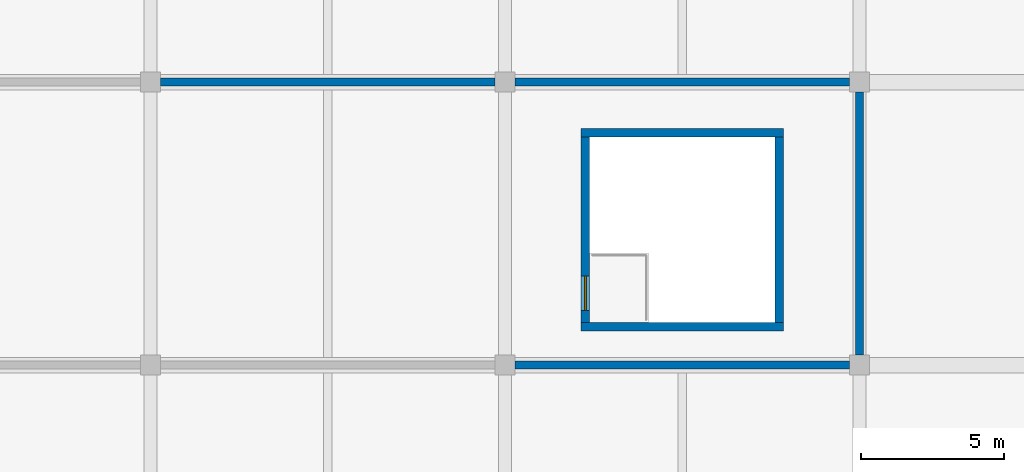
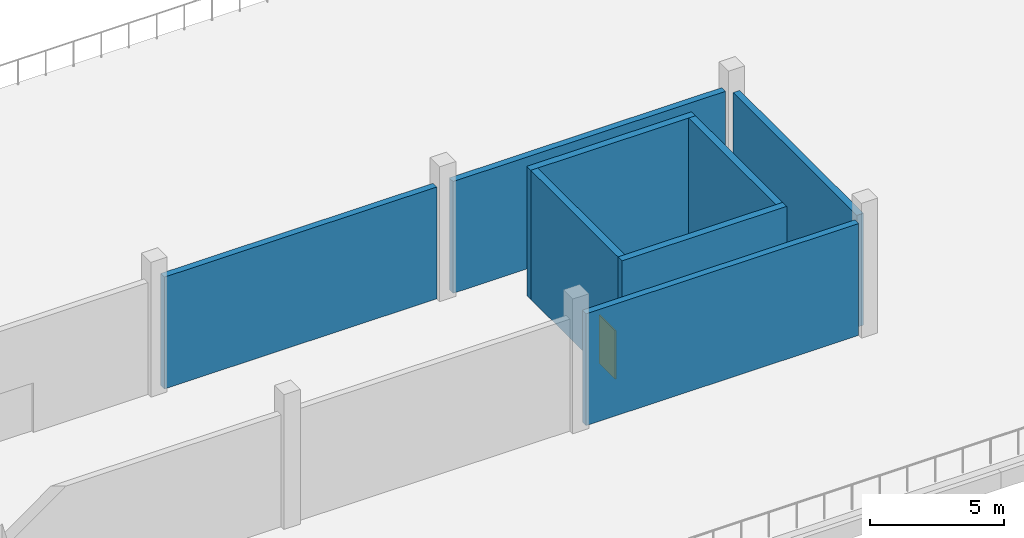
# One storey, part 30 of 46: 8 walls, 1 door, 1 opening.
"""IFC4 building model written with IfcOpenShell, lengths in metres."""

import ifcopenshell
import ifcopenshell.guid

model = None  # the IFC model being written
_history = None  # IfcOwnerHistory: only IFC2X3 demands one
_inside = {}  # id of a spatial element -> (the spatial element, [elements in it])
_under = {}  # id of a project, library or spatial element -> (it, [spatial elements below it])
_declared = {}  # id of a project -> (the project, [libraries it declares])
_typed = {}  # id of a type object -> (the type object, [elements of that type])
_made_of = {}  # id of a material, layer set ... -> (it, [elements and type objects made of it])


def new_model(schema):
    """Start an empty IFC model of exactly this schema.

    Asked for "IFC4X3", IfcOpenShell would pick the latest addendum, in which some entities
    have other attributes; the version numbers below select the first issue.
    IFC2X3 requires an IfcOwnerHistory on every rooted entity: one is made here for all.
    """
    global model, _history
    if schema == "IFC4X3":
        model = ifcopenshell.file(schema_version=(4, 3, 0, 0))
    else:
        model = ifcopenshell.file(schema=schema)
    _inside.clear()
    _under.clear()
    _declared.clear()
    _typed.clear()
    _made_of.clear()
    _history = None
    if model.schema == "IFC2X3":
        org = make("IfcOrganization", Name="unknown")
        user = make(
            "IfcPersonAndOrganization",
            ThePerson=make("IfcPerson", FamilyName="unknown"),
            TheOrganization=org,
        )
        app = make(
            "IfcApplication",
            ApplicationDeveloper=org,
            Version="unknown",
            ApplicationFullName="unknown",
            ApplicationIdentifier="unknown",
        )
        _history = make(
            "IfcOwnerHistory",
            OwningUser=user,
            OwningApplication=app,
            ChangeAction="ADDED",
            CreationDate=0,
        )
    return model


def make(cls, **values):
    """One entity of the class cls with the attributes given. An attribute that is None is left unset."""
    return model.create_entity(
        cls, **{name: value for name, value in values.items() if value is not None}
    )


def rooted(cls, **values):
    """An entity with a GlobalId (a new one), such as an element, a storey or a relation."""
    return make(cls, GlobalId=ifcopenshell.guid.new(), OwnerHistory=_history, **values)


def si_unit(unit_type, name, prefix=None):
    """IfcSIUnit, for example si_unit("LENGTHUNIT", "METRE", prefix="MILLI")."""
    return make("IfcSIUnit", UnitType=unit_type, Prefix=prefix, Name=name)


def assignment(units):
    """IfcUnitAssignment: the units of a project."""
    return None if units is None else make("IfcUnitAssignment", Units=units)


def point(xyz):
    """IfcCartesianPoint."""
    return None if xyz is None else make("IfcCartesianPoint", Coordinates=xyz)


def direction(xyz):
    """IfcDirection."""
    return None if xyz is None else make("IfcDirection", DirectionRatios=xyz)


def frame(location, z_axis=None, x_axis=None):
    """IfcAxis2Placement3D, a coordinate frame: its origin and axes. An axis left out is left unset."""
    return make(
        "IfcAxis2Placement3D",
        Location=point(location),
        Axis=direction(z_axis),
        RefDirection=direction(x_axis),
    )


def frame_2d(location, x_axis=None):
    """IfcAxis2Placement2D, a coordinate frame in the plane: its origin and x axis."""
    return make(
        "IfcAxis2Placement2D", Location=point(location), RefDirection=direction(x_axis)
    )


def origin():
    """The frame at (0, 0, 0) with its axes left unset."""
    return frame((0.0, 0.0, 0.0))


def place(relative_to, where):
    """IfcLocalPlacement: puts the frame where relative to a parent placement (None: the world)."""
    return make(
        "IfcLocalPlacement", PlacementRelTo=relative_to, RelativePlacement=where
    )


def context(
    kind, dimensions, precision=None, world=None, true_north=None, identifier=None
):
    """IfcGeometricRepresentationContext, for example the 3D "Model" context."""
    return make(
        "IfcGeometricRepresentationContext",
        ContextIdentifier=identifier,
        ContextType=kind,
        CoordinateSpaceDimension=dimensions,
        Precision=precision,
        WorldCoordinateSystem=world,
        TrueNorth=true_north,
    )


def subcontext(parent, identifier, kind, view, scale=None):
    """IfcGeometricRepresentationSubContext, for example "Body" below "Model"."""
    return make(
        "IfcGeometricRepresentationSubContext",
        ContextIdentifier=identifier,
        ContextType=kind,
        ParentContext=parent,
        TargetScale=scale,
        TargetView=view,
    )


def project(units=None, contexts=None):
    """IfcProject with its units and contexts."""
    return rooted(
        "IfcProject",
        Name="project",
        RepresentationContexts=contexts,
        UnitsInContext=assignment(units),
    )


def spatial(cls, under=None, at=None, **own):
    """A site, building, storey or space (cls), placed at a placement, below another one or the project."""
    s = rooted(cls, ObjectPlacement=at, **own)
    if under is not None:
        _under.setdefault(under.id(), (under, []))[1].append(s)
    return s


def profile(cls, at=None, kind="AREA", **sizes):
    """A parametric profile (cls). Its sizes go by their IFC names, for example OverallWidth=200.0."""
    return make(cls, ProfileType=kind, Position=at, **sizes)


def rectangle(**sizes):
    """IfcRectangleProfileDef."""
    return profile("IfcRectangleProfileDef", **sizes)


def extrude(swept, where, along, depth):
    """IfcExtrudedAreaSolid: the profile swept, set in the frame where, extruded along a direction by depth."""
    return make(
        "IfcExtrudedAreaSolid",
        SweptArea=swept,
        Position=where,
        ExtrudedDirection=direction(along),
        Depth=depth,
    )


def shape(context_of_items, identifier, shape_type, items):
    """IfcShapeRepresentation: the items that make up one representation, for example the "Body"."""
    return make(
        "IfcShapeRepresentation",
        ContextOfItems=context_of_items,
        RepresentationIdentifier=identifier,
        RepresentationType=shape_type,
        Items=items,
    )


def material(Name=None, Category=None):
    """IfcMaterial."""
    return make("IfcMaterial", Name=Name, Category=Category)


def layer(
    of_material, thickness, ventilated=None, Name=None, Category=None, Priority=None
):
    """IfcMaterialLayer: one layer of a wall or slab, of a material (None: an air gap)."""
    return make(
        "IfcMaterialLayer",
        Material=of_material,
        LayerThickness=thickness,
        IsVentilated=ventilated,
        Name=Name,
        Category=Category,
        Priority=Priority,
    )


def layer_set(layers, Name=None):
    """IfcMaterialLayerSet."""
    return make("IfcMaterialLayerSet", MaterialLayers=layers, LayerSetName=Name)


def made_of(thing, what):
    """Note that an element or type object is made of a material, layer set ...; save() writes the relation."""
    if what is not None:
        _made_of.setdefault(what.id(), (what, []))[1].append(thing)
    return thing


def type_object(cls, material=None, **own):
    """A type object (cls), such as IfcWallType, which elements share."""
    return made_of(rooted(cls, **own), material)


def element(
    cls,
    number,
    at=None,
    inside=None,
    cuts=None,
    type_object=None,
    material=None,
    context=None,
    identifier="Body",
    shape_type=None,
    held_by="IfcProductDefinitionShape",
    body=None,
    shapes=None,
    **own,
):
    """One element of the class cls, such as IfcWall. Its Tag is "e" and its number.

    at: its placement. inside: the storey or other place that contains it. cuts: it is an
    opening in that element (IfcRelVoidsElement). A single representation is given by context,
    identifier, shape_type and body (its items); several are given by shapes. held_by: the class
    of the entity that holds the representations. save() writes the other relations.
    """
    e = rooted(cls, Tag="e%d" % number, ObjectPlacement=at, **own)
    if body is not None:
        shapes = [shape(context, identifier, shape_type, body)]
    if shapes is not None:
        e.Representation = make(held_by, Representations=shapes)
    if inside is not None:
        _inside.setdefault(inside.id(), (inside, []))[1].append(e)
    if cuts is not None:
        rooted(
            "IfcRelVoidsElement", RelatingBuildingElement=cuts, RelatedOpeningElement=e
        )
    if type_object is not None:
        _typed.setdefault(type_object.id(), (type_object, []))[1].append(e)
    return made_of(e, material)


def fill(opening, filler):
    """IfcRelFillsElement: the door or window that sits in an opening."""
    return rooted(
        "IfcRelFillsElement",
        RelatingOpeningElement=opening,
        RelatedBuildingElement=filler,
    )


def aggregate(whole, parts):
    """IfcRelAggregates: a whole, such as a stair, and the parts it consists of."""
    return rooted("IfcRelAggregates", RelatingObject=whole, RelatedObjects=parts)


def save(model, path):
    """Write the relations noted so far, then the file.

    IfcRelAggregates (storeys below a building ...), IfcRelContainedInSpatialStructure (elements
    in a storey), IfcRelDefinesByType, IfcRelAssociatesMaterial and IfcRelDeclares: one each for
    every whole, place, type object, material and project.
    """
    for whole, parts in _under.values():
        aggregate(whole, parts)
    for where, things in _inside.values():
        rooted(
            "IfcRelContainedInSpatialStructure",
            RelatedElements=things,
            RelatingStructure=where,
        )
    for kind, things in _typed.values():
        rooted("IfcRelDefinesByType", RelatedObjects=things, RelatingType=kind)
    for what, things in _made_of.values():
        rooted("IfcRelAssociatesMaterial", RelatedObjects=things, RelatingMaterial=what)
    for by, libraries in _declared.values():
        rooted("IfcRelDeclares", RelatingContext=by, RelatedDefinitions=libraries)
    model.write(path)


model = new_model("IFC4")

# Units and contexts
model_context = context("Model", 3, precision=1e-05, world=origin(), true_north=direction((0.0, 1.0)))
body_context = subcontext(model_context, "Body", "Model", "MODEL_VIEW")
ifc_project = project(units=[si_unit("LENGTHUNIT", "METRE"), si_unit("AREAUNIT", "SQUARE_METRE"), si_unit("VOLUMEUNIT", "CUBIC_METRE"), si_unit("PLANEANGLEUNIT", "RADIAN"), si_unit("MASSUNIT", "GRAM", prefix="KILO")], contexts=[model_context])

# Site, building, storey
site_placement = place(None, origin())
site = spatial("IfcSite", under=ifc_project, at=site_placement, CompositionType="ELEMENT")
building_placement = place(site_placement, origin())
building = spatial("IfcBuilding", under=site, at=building_placement, Name="Sillaruma Civic Art Gallery", CompositionType="ELEMENT")
storey_placement = place(building_placement, frame((0.0, 0.0, 16.320068359375)))
storey = spatial("IfcBuildingStorey", under=building, at=storey_placement, Name="L03", CompositionType="ELEMENT", Elevation=16.320068359375)

# Walls
ifc_material_1 = material(Name="Concrete H40 (40 MPa)", Category="concrete")
ifc_layer_1 = layer(ifc_material_1, 0.300048828125, Name="Concrete H40 (40 MPa)")
ifc_layer_set_1 = layer_set([ifc_layer_1], Name="Concrete H40 (40 MPa)")
wall_type_1 = type_object("IfcWallType", Name="WAL-CORE-300", PredefinedType="SHEAR", material=ifc_layer_set_1)
for number, where, z_axis, x_axis, name in (
    (1, (141.860107421875, 11.25, 0.0), (0.0, 0.0, 1.0), (1.0, 0.0, 0.0), "Stair Core Shear Wall W-CORE-300 (ST-05:L03:S)"),
    (2, (141.860107421875, 18.030029296875, 0.0), (0.0, 0.0, 1.0), (1.0, 0.0, 0.0), "Stair Core Shear Wall W-CORE-300 (ST-05:L03:N)"),
):
    element("IfcWall", number, at=place(storey_placement, frame(where, z_axis=z_axis, x_axis=x_axis)), inside=storey, type_object=wall_type_1, Name=name, PredefinedType="SHEAR", context=body_context, shape_type="SweptSolid", body=[
        extrude(rectangle(XDim=7.079833984375, YDim=0.300048828125, at=frame_2d((3.5400390625, 0.0))), origin(), (0.0, 0.0, 1.0), 5.85986328125),
    ])

# Wall, opening, door
wall_1_placement = place(storey_placement, frame((142.010009765625, 11.39990234375, 0.0), z_axis=(0.0, 0.0, 1.0), x_axis=(0.0, 1.0, 0.0)))
wall_1 = element("IfcWall", 3, at=wall_1_placement, inside=storey, type_object=wall_type_1, Name="Stair Core Shear Wall W-CORE-300 (ST-05:L03:W)", PredefinedType="SHEAR", context=body_context, shape_type="SweptSolid", body=[
    extrude(rectangle(XDim=6.47998046875, YDim=0.300048828125, at=frame_2d((3.239990234375, 0.0))), origin(), (0.0, 0.0, 1.0), 5.85986328125),
])
opening_placement = place(wall_1_placement, frame((0.419921875, 0.0, 0.0)))
opening = element("IfcOpeningElement", 4, at=opening_placement, cuts=wall_1, Name="Opening D-STAIR", PredefinedType="OPENING", context=body_context, shape_type="SweptSolid", body=[
    extrude(rectangle(XDim=1.199951171875, YDim=2.199951171875, at=frame_2d((0.60009765625, 1.10009765625))), frame((0.0, 0.159912109375, 0.0), z_axis=(0.0, -1.0, 0.0), x_axis=(1.0, 0.0, 0.0)), (0.0, 0.0, 1.0), 0.320068359375),
])
ifc_material_2 = material(Name="Galvanised Steel ASTM A653 Gr.50", Category="steel")
door_type = type_object("IfcDoorType", Name="DOR-STAIR-120", OperationType="NOTDEFINED", PredefinedType="DOOR", material=ifc_material_2)
door_placement = place(opening_placement, frame((1.199951171875, 0.0, 0.0), z_axis=(0.0, 0.0, 1.0), x_axis=(-1.0, 0.0, 0.0)))
door = element("IfcDoor", 5, at=door_placement, inside=storey, type_object=door_type, Name="Protected Stair Fire Door (ST-05:L03)", OperationType="SINGLE_SWING_RIGHT", OverallHeight=2.199951171875, OverallWidth=1.199951171875, PredefinedType="DOOR", context=body_context, shape_type="SweptSolid", body=[
    extrude(rectangle(XDim=1.199951171875, YDim=2.199951171875, at=frame_2d((0.60009765625, 1.10009765625))), frame((0.0, 0.02490234375, 0.0), z_axis=(0.0, -1.0, 0.0), x_axis=(1.0, 0.0, 0.0)), (0.0, 0.0, 1.0), 0.050048828125),
])
fill(opening, door)

# Walls
wall_2_placement = place(storey_placement, frame((148.7900390625, 11.39990234375, 0.0), z_axis=(0.0, 0.0, 1.0), x_axis=(0.0, 1.0, 0.0)))
element("IfcWall", 6, at=wall_2_placement, inside=storey, type_object=wall_type_1, Name="Stair Core Shear Wall W-CORE-300 (ST-05:L03:E)", PredefinedType="SHEAR", context=body_context, shape_type="SweptSolid", body=[
    extrude(rectangle(XDim=6.47998046875, YDim=0.300048828125, at=frame_2d((3.239990234375, 0.0))), origin(), (0.0, 0.0, 1.0), 5.85986328125),
])
ifc_material_3 = material(Name="Concrete H35 (35 MPa)", Category="concrete")
ifc_layer_2 = layer(ifc_material_3, 0.159912109375, Name="Concrete backup", Category="concrete")
ifc_material_4 = material(Name="Mineral Wool Thermal Insulation", Category="insulation")
ifc_layer_3 = layer(ifc_material_4, 0.090087890625, Name="Thermal insulation", Category="insulation")
ifc_material_5 = material(Name="Anodised Zinc-Aluminium Alloy", Category="aluminium")
ifc_layer_4 = layer(ifc_material_5, 0.030029296875, Name="Rainscreen finish", Category="aluminium")
ifc_layer_set_2 = layer_set([ifc_layer_2, ifc_layer_3, ifc_layer_4], Name="W-EXT-280")
wall_type_2 = type_object("IfcWallType", Name="WAL-EXT-280", PredefinedType="SOLIDWALL", material=ifc_layer_set_2)
wall_3_placement = place(storey_placement, frame((127.14990234375, 19.800048828125, 0.0), z_axis=(0.0, 0.0, 1.0), x_axis=(1.0, 0.0, 0.0)))
element("IfcWall", 7, at=wall_3_placement, inside=storey, type_object=wall_type_2, Name="Exterior Wall W-EXT-280 (EW-L03-HH5-N2)", PredefinedType="SOLIDWALL", context=body_context, shape_type="SweptSolid", body=[
    extrude(rectangle(XDim=11.7001953125, YDim=0.280029296875, at=frame_2d((5.85009765625, 0.0))), origin(), (0.0, 0.0, 1.0), 5.079833984375),
])
for number, where, z_axis, x_axis, name in (
    (8, (139.550048828125, 19.800048828125, 0.0), (0.0, 0.0, 1.0), (1.0, 0.0, 0.0), "Exterior Wall W-EXT-280 (EW-L03-HH5-N3)"),
    (9, (139.550048828125, 9.89990234375, 0.0), (0.0, 0.0, 1.0), (1.0, 0.0, 0.0), "Exterior Wall W-EXT-280 (EW-L03-HH5-S3)"),
):
    element("IfcWall", number, at=place(storey_placement, frame(where, z_axis=z_axis, x_axis=x_axis)), inside=storey, type_object=wall_type_2, Name=name, PredefinedType="SOLIDWALL", context=body_context, shape_type="SweptSolid", body=[
        extrude(rectangle(XDim=11.699951171875, YDim=0.280029296875, at=frame_2d((5.85009765625, 0.0))), origin(), (0.0, 0.0, 1.0), 5.079833984375),
    ])
wall_4_placement = place(storey_placement, frame((151.60009765625, 10.25, 0.0), z_axis=(0.0, 0.0, 1.0), x_axis=(0.0, 1.0, 0.0)))
element("IfcWall", 10, at=wall_4_placement, inside=storey, type_object=wall_type_2, Name="Exterior Wall W-EXT-280 (EW-L03-HH5-E)", PredefinedType="SOLIDWALL", context=body_context, shape_type="SweptSolid", body=[
    extrude(rectangle(XDim=9.199951171875, YDim=0.280029296875, at=frame_2d((4.60009765625, 0.0))), origin(), (0.0, 0.0, 1.0), 5.079833984375),
])

save(model, "model.ifc")
